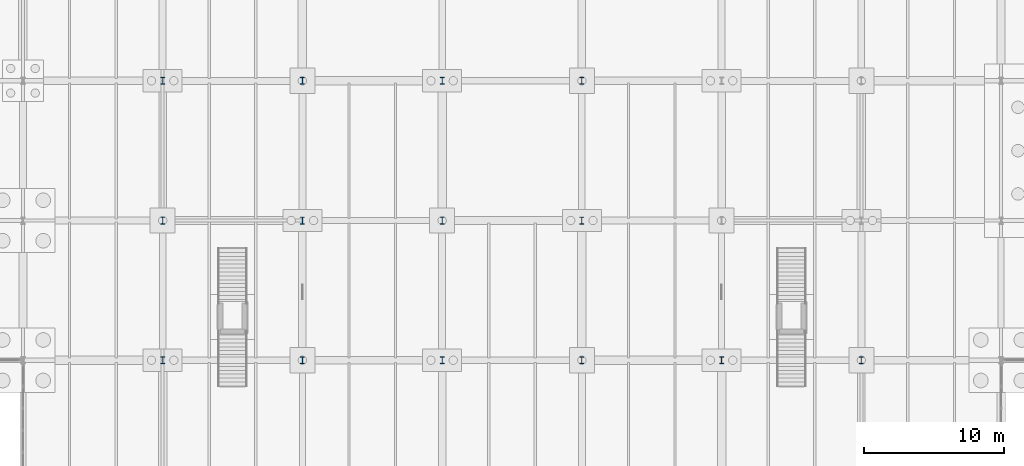
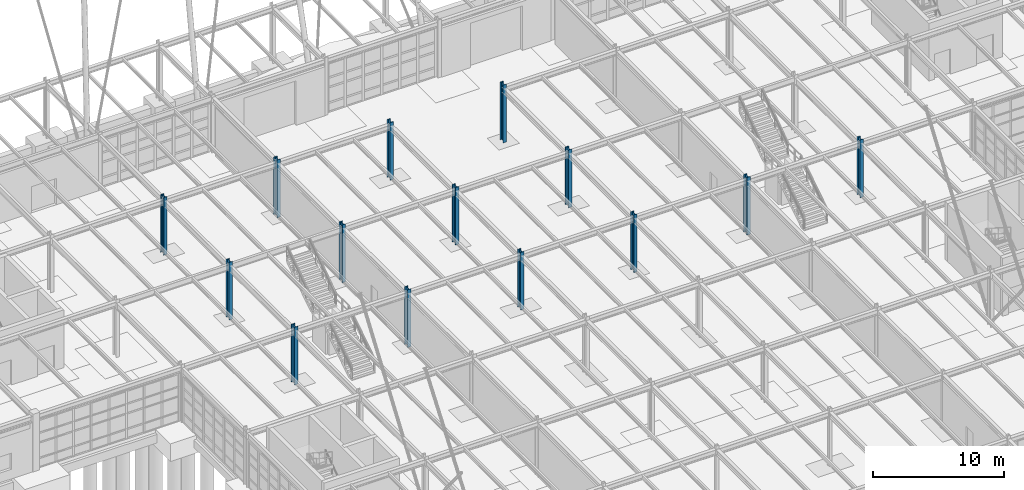
# One storey, part 22 of 145: 14 columns.
"""IFC4 building model written with IfcOpenShell, lengths in metres."""

from ifc_helpers import new_model, si_unit, direction, frame, origin, origin_2d, place, context, subcontext, project, spatial, i_section, extrude, material, material_profile, profile_set, type_object, element, save


model = new_model("IFC4")

# Units and contexts
model_context = context("Model", 3, precision=1e-05, world=origin(), true_north=direction((0.0, 1.0)))
body_context = subcontext(model_context, "Body", "Model", "MODEL_VIEW")
ifc_project = project(units=[si_unit("LENGTHUNIT", "METRE"), si_unit("AREAUNIT", "SQUARE_METRE"), si_unit("VOLUMEUNIT", "CUBIC_METRE"), si_unit("PLANEANGLEUNIT", "RADIAN"), si_unit("MASSUNIT", "GRAM", prefix="KILO"), si_unit("THERMODYNAMICTEMPERATUREUNIT", "KELVIN"), si_unit("POWERUNIT", "WATT")], contexts=[model_context])

# Site, building, storey
site_placement = place(None, origin())
site = spatial("IfcSite", under=ifc_project, at=site_placement, CompositionType="ELEMENT")
building_placement = place(site_placement, origin())
building = spatial("IfcBuilding", under=site, at=building_placement, Name="Korenveer Ferry Terminal", CompositionType="ELEMENT")
storey_placement = place(building_placement, origin())
storey = spatial("IfcBuildingStorey", under=building, at=storey_placement, Name="L00", CompositionType="ELEMENT", Elevation=0.0)

# Columns
ifc_material = material(Name="Steel S355", Category="steel")
ifc_material_profile = material_profile(ifc_material, i_section(OverallWidth=0.300048828125, OverallDepth=0.5, WebThickness=0.014404296875, FlangeThickness=0.028076171875, FilletRadius=0.027099609375, at=origin_2d()), Name="HEB 500")
ifc_profile_set = profile_set([ifc_material_profile], Name="Steel S355")
column_type = type_object("IfcColumnType", Name="STR-COL-HEB500", PredefinedType="COLUMN", material=ifc_profile_set)
for number, where, z_axis, x_axis, name in (
    (1, (63.0, 70.0, 0.0), (0.0, 0.0, 1.0), (1.0, 0.0, 0.0), "Column COL-L00-X63-Y70"),
    (2, (63.0, 80.0, 0.0), (0.0, 0.0, 1.0), (1.0, 0.0, 0.0), "Column COL-L00-X63-Y80"),
    (3, (63.0, 90.0, 0.0), (0.0, 0.0, 1.0), (1.0, 0.0, 0.0), "Column COL-L00-X63-Y90"),
    (4, (73.0, 70.0, 0.0), (0.0, 0.0, 1.0), (1.0, 0.0, 0.0), "Column COL-L00-X73-Y70"),
    (5, (73.0, 80.0, 0.0), (0.0, 0.0, 1.0), (1.0, 0.0, 0.0), "Column COL-L00-X73-Y80"),
    (6, (73.0, 90.0, 0.0), (0.0, 0.0, 1.0), (1.0, 0.0, 0.0), "Column COL-L00-X73-Y90"),
    (7, (83.0, 70.0, 0.0), (0.0, 0.0, 1.0), (1.0, 0.0, 0.0), "Column COL-L00-X83-Y70"),
    (8, (83.0, 80.0, 0.0), (0.0, 0.0, 1.0), (1.0, 0.0, 0.0), "Column COL-L00-X83-Y80"),
    (9, (83.0, 90.0, 0.0), (0.0, 0.0, 1.0), (1.0, 0.0, 0.0), "Column COL-L00-X83-Y90"),
    (10, (93.0, 70.0, 0.0), (0.0, 0.0, 1.0), (1.0, 0.0, 0.0), "Column COL-L00-X93-Y70"),
    (11, (93.0, 80.0, 0.0), (0.0, 0.0, 1.0), (1.0, 0.0, 0.0), "Column COL-L00-X93-Y80"),
    (12, (93.0, 90.0, 0.0), (0.0, 0.0, 1.0), (1.0, 0.0, 0.0), "Column COL-L00-X93-Y90"),
    (13, (103.0, 70.0, 0.0), (0.0, 0.0, 1.0), (1.0, 0.0, 0.0), "Column COL-L00-X103-Y70"),
    (14, (113.0, 70.0, 0.0), (0.0, 0.0, 1.0), (1.0, 0.0, 0.0), "Column COL-L00-X113-Y70"),
):
    element("IfcColumn", number, at=place(storey_placement, frame(where, z_axis=z_axis, x_axis=x_axis)), inside=storey, type_object=column_type, Name=name, PredefinedType="COLUMN", context=body_context, shape_type="SweptSolid", body=[
        extrude(i_section(OverallWidth=0.300048828125, OverallDepth=0.5, WebThickness=0.014404296875, FlangeThickness=0.028076171875, FilletRadius=0.027099609375, at=origin_2d()), origin(), (0.0, 0.0, 1.0), 5.39990234375),
    ])

save(model, "model.ifc")
